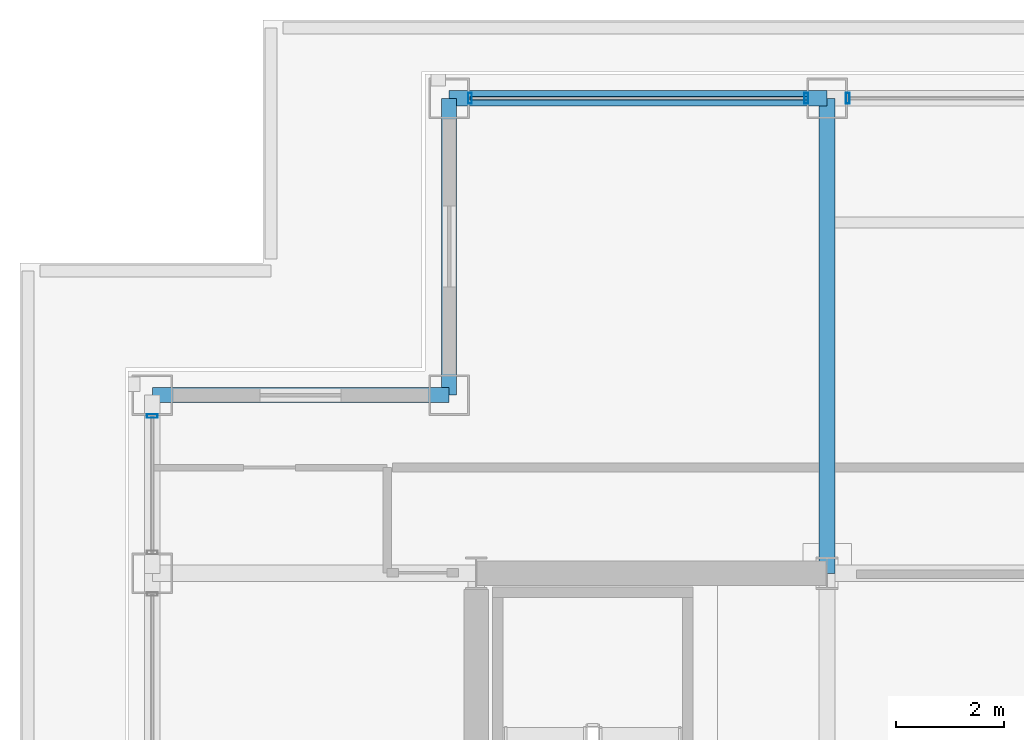
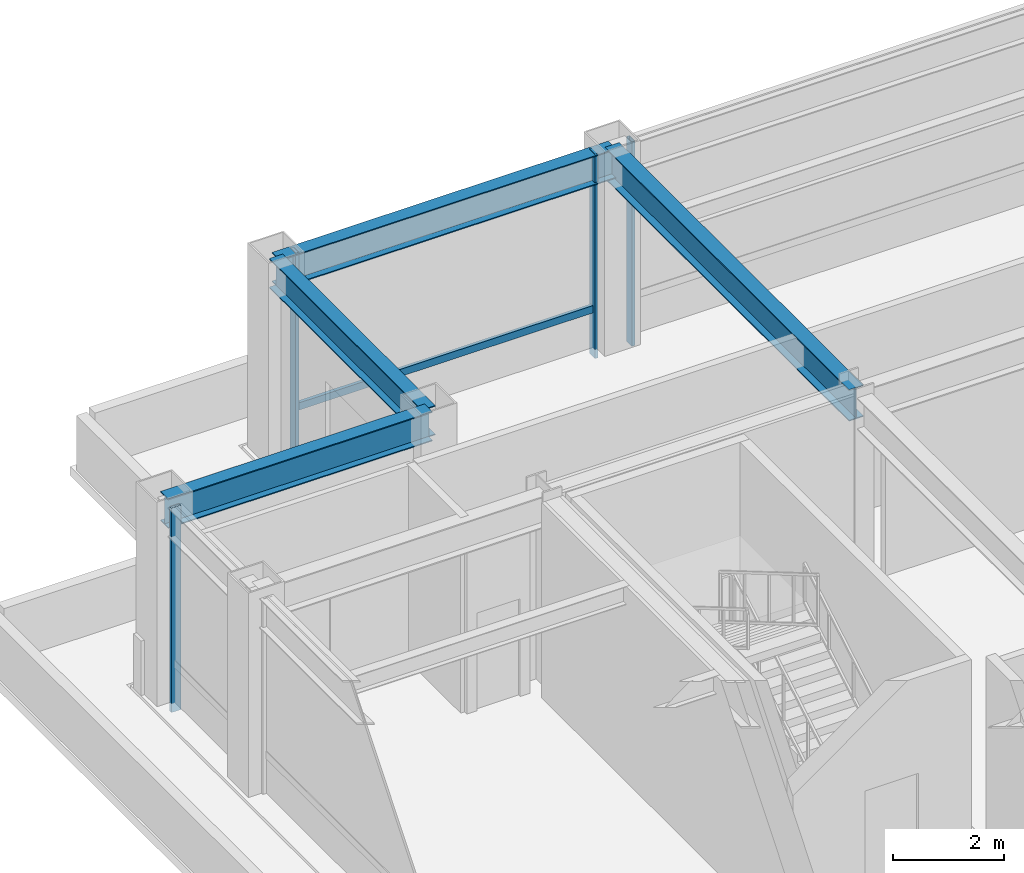
# One storey, part 16 of 24: 5 members, 4 beams, 3 elements without a shape of their own.
"""IFC4 building model written with IfcOpenShell, lengths in metres."""

from ifc_helpers import new_model, si_unit, direction, frame, origin, origin_2d, place, context, subcontext, project, spatial, hollow_rectangle, i_section, extrude, material, layer, layer_set, material_profile, profile_set, type_object, element, aggregate, save


model = new_model("IFC4")

# Units and contexts
model_context = context("Model", 3, precision=1e-05, world=origin(), true_north=direction((0.0, 1.0)))
body_context = subcontext(model_context, "Body", "Model", "MODEL_VIEW")
ifc_project = project(units=[si_unit("LENGTHUNIT", "METRE"), si_unit("AREAUNIT", "SQUARE_METRE"), si_unit("VOLUMEUNIT", "CUBIC_METRE"), si_unit("PLANEANGLEUNIT", "RADIAN"), si_unit("MASSUNIT", "GRAM", prefix="KILO")], contexts=[model_context])

# Site, building, storey
site_placement = place(None, origin())
site = spatial("IfcSite", under=ifc_project, at=site_placement, CompositionType="ELEMENT")
building_placement = place(site_placement, origin())
building = spatial("IfcBuilding", under=site, at=building_placement, Name="Brelmoor Portico Tower", CompositionType="ELEMENT")
storey_placement = place(building_placement, frame((0.0, 0.0, 150.60009765625)))
storey = spatial("IfcBuildingStorey", under=building, at=storey_placement, Name="L39", CompositionType="ELEMENT", Elevation=150.60009765625)

# Beams
ifc_material_1 = material(Name="Steel Q355B", Category="steel")
ifc_material_profile_1 = material_profile(ifc_material_1, i_section(OverallWidth=0.300048828125, OverallDepth=0.699951171875, WebThickness=0.012939453125, FlangeThickness=0.02392578125, at=origin_2d()), Name="HN 700x300x13x24")
ifc_profile_set_1 = profile_set([ifc_material_profile_1], Name="Steel Q355B")
beam_type_1 = type_object("IfcBeamType", Name="BM-PG-700", PredefinedType="BEAM", material=ifc_profile_set_1)
beam_1_placement = place(storey_placement, frame((-8.050048828125, 9.75, 3.949951171875), z_axis=(0.0, 1.0, 0.0), x_axis=(-1.0, 0.0, 0.0)))
element("IfcBeam", 1, at=beam_1_placement, inside=storey, type_object=beam_type_1, Name="L39 Primary Floor Girder PG-05", PredefinedType="BEAM", context=body_context, shape_type="SweptSolid", body=[
    extrude(i_section(OverallWidth=0.300048828125, OverallDepth=0.699951171875, WebThickness=0.012939453125, FlangeThickness=0.02392578125, at=origin_2d()), origin(), (0.0, 0.0, 1.0), 8.800048828125),
])
ifc_material_profile_2 = material_profile(ifc_material_1, i_section(OverallWidth=0.280029296875, OverallDepth=0.64990234375, WebThickness=0.012939453125, FlangeThickness=0.02197265625, at=origin_2d()), Name="HN 650x280x13x22")
ifc_profile_set_2 = profile_set([ifc_material_profile_2], Name="Steel Q355B")
beam_type_2 = type_object("IfcBeamType", Name="BM-SP-650", PredefinedType="SPANDREL", material=ifc_profile_set_2)
beam_2_placement = place(storey_placement, frame((-20.550048828125, 13.050048828125, 3.974853515625), z_axis=(1.0, 0.0, 0.0), x_axis=(0.0, 1.0, 0.0)))
element("IfcBeam", 2, at=beam_2_placement, inside=storey, type_object=beam_type_2, Name="L39 Perimeter Spandrel Beam SP-06", PredefinedType="SPANDREL", context=body_context, shape_type="SweptSolid", body=[
    extrude(i_section(OverallWidth=0.280029296875, OverallDepth=0.64990234375, WebThickness=0.012939453125, FlangeThickness=0.02197265625, at=origin_2d()), origin(), (0.0, 0.0, 1.0), 5.5),
])
beam_3_placement = place(storey_placement, frame((-15.050048828125, 18.550048828125, 3.974853515625), z_axis=(1.0, 0.0, 0.0), x_axis=(0.0, 1.0, 0.0)))
element("IfcBeam", 3, at=beam_3_placement, inside=storey, type_object=beam_type_2, Name="L39 Perimeter Spandrel Beam SP-08", PredefinedType="SPANDREL", context=body_context, shape_type="SweptSolid", body=[
    extrude(i_section(OverallWidth=0.280029296875, OverallDepth=0.64990234375, WebThickness=0.012939453125, FlangeThickness=0.02197265625, at=origin_2d()), origin(), (0.0, 0.0, 1.0), 7.0),
])
beam_4_placement = place(storey_placement, frame((-15.050048828125, 13.050048828125, 3.974853515625), z_axis=(0.0, 1.0, 0.0), x_axis=(-1.0, 0.0, 0.0)))
element("IfcBeam", 4, at=beam_4_placement, inside=storey, type_object=beam_type_2, Name="L39 Perimeter Spandrel Beam SP-15", PredefinedType="SPANDREL", context=body_context, shape_type="SweptSolid", body=[
    extrude(i_section(OverallWidth=0.280029296875, OverallDepth=0.64990234375, WebThickness=0.012939453125, FlangeThickness=0.02197265625, at=origin_2d()), origin(), (0.0, 0.0, 1.0), 5.5),
])

# Curtain wall, members
ifc_material_2 = material(Name="Anodised Aluminium Alloy 6063-T6", Category="aluminium")
ifc_layer = layer(ifc_material_2, 0.179931640625)
ifc_layer_set = layer_set([ifc_layer], Name="Anodised Aluminium Alloy 6063-T6")
curtain_wall_type = type_object("IfcCurtainWallType", Name="CW-SKYLOBBY", PredefinedType="NOTDEFINED", material=ifc_layer_set)
curtain_wall_1_placement = place(storey_placement, origin())
curtain_wall_1 = element("IfcCurtainWall", 5, at=curtain_wall_1_placement, inside=storey, type_object=curtain_wall_type, Name="L39 Curtain Wall CW-L39-02-1", PredefinedType="NOTDEFINED")
ifc_material_profile_3 = material_profile(ifc_material_2, hollow_rectangle(XDim=0.070068359375, YDim=0.199951171875, WallThickness=0.00439453125, at=origin_2d()), Name="ALU MULLION 70x200")
ifc_profile_set_3 = profile_set([ifc_material_profile_3], Name="Anodised Aluminium Alloy 6063-T6")
member_type_1 = type_object("IfcMemberType", Name="MB-CW-MULL-200", PredefinedType="MULLION", material=ifc_profile_set_3)
member_1_placement = place(storey_placement, frame((-14.6650390625, 18.550048828125, -0.2001953125), z_axis=(0.0, 0.0, 1.0), x_axis=(1.0, 0.0, 0.0)))
member_1 = element("IfcMember", 6, at=member_1_placement, type_object=member_type_1, Name="CW-L39-02-1 Mullion 00", PredefinedType="MULLION", context=body_context, shape_type="SweptSolid", body=[
    extrude(hollow_rectangle(XDim=0.070068359375, YDim=0.199951171875, WallThickness=0.00439453125, at=origin_2d()), origin(), (0.0, 0.0, 1.0), 4.5),
])
member_2_placement = place(storey_placement, frame((-8.43505859375, 18.550048828125, -0.2001953125), z_axis=(0.0, 0.0, 1.0), x_axis=(1.0, 0.0, 0.0)))
member_2 = element("IfcMember", 7, at=member_2_placement, type_object=member_type_1, Name="CW-L39-02-1 Mullion 01", PredefinedType="MULLION", context=body_context, shape_type="SweptSolid", body=[
    extrude(hollow_rectangle(XDim=0.070068359375, YDim=0.199951171875, WallThickness=0.00439453125, at=origin_2d()), origin(), (0.0, 0.0, 1.0), 4.5),
])

# Curtain wall, member
curtain_wall_2_placement = place(storey_placement, origin())
curtain_wall_2 = element("IfcCurtainWall", 8, at=curtain_wall_2_placement, inside=storey, type_object=curtain_wall_type, Name="L39 Curtain Wall CW-L39-02-2", PredefinedType="NOTDEFINED")
member_3_placement = place(storey_placement, frame((-7.6650390625, 18.550048828125, -0.2001953125), z_axis=(0.0, 0.0, 1.0), x_axis=(1.0, 0.0, 0.0)))
member_3 = element("IfcMember", 9, at=member_3_placement, type_object=member_type_1, Name="CW-L39-02-2 Mullion 00", PredefinedType="MULLION", context=body_context, shape_type="SweptSolid", body=[
    extrude(hollow_rectangle(XDim=0.070068359375, YDim=0.199951171875, WallThickness=0.00439453125, at=origin_2d()), origin(), (0.0, 0.0, 1.0), 4.5),
])
aggregate(curtain_wall_2, [member_3])

curtain_wall_3_placement = place(storey_placement, origin())
curtain_wall_3 = element("IfcCurtainWall", 10, at=curtain_wall_3_placement, inside=storey, type_object=curtain_wall_type, Name="L39 Curtain Wall CW-L39-03-3", PredefinedType="NOTDEFINED")
member_4_placement = place(storey_placement, frame((-20.550048828125, 12.6650390625, -0.2001953125), z_axis=(0.0, 0.0, 1.0), x_axis=(0.0, 1.0, 0.0)))
member_4 = element("IfcMember", 11, at=member_4_placement, type_object=member_type_1, Name="CW-L39-03-3 Mullion 01", PredefinedType="MULLION", context=body_context, shape_type="SweptSolid", body=[
    extrude(hollow_rectangle(XDim=0.070068359375, YDim=0.199951171875, WallThickness=0.00439453125, at=origin_2d()), origin(), (0.0, 0.0, 1.0), 4.5),
])
aggregate(curtain_wall_3, [member_4])

# Member
ifc_material_profile_4 = material_profile(ifc_material_2, hollow_rectangle(XDim=0.070068359375, YDim=0.159912109375, WallThickness=0.00390625, at=origin_2d()), Name="ALU TRANSOM 70x160")
ifc_profile_set_4 = profile_set([ifc_material_profile_4], Name="Anodised Aluminium Alloy 6063-T6")
member_type_2 = type_object("IfcMemberType", Name="MB-CW-TRAN-160", PredefinedType="USERDEFINED", material=ifc_profile_set_4)
member_5_placement = place(storey_placement, frame((-14.6650390625, 18.550048828125, 0.849853515625), z_axis=(1.0, 0.0, 0.0), x_axis=(0.0, 1.0, 0.0)))
member_5 = element("IfcMember", 12, at=member_5_placement, type_object=member_type_2, Name="CW-L39-02-1 Transom 1-00", ObjectType="TRANSOM", PredefinedType="USERDEFINED", context=body_context, shape_type="SweptSolid", body=[
    extrude(hollow_rectangle(XDim=0.070068359375, YDim=0.159912109375, WallThickness=0.00390625, at=origin_2d()), origin(), (0.0, 0.0, 1.0), 6.22998046875),
])

aggregate(curtain_wall_1, [member_1, member_2, member_5])

save(model, "model.ifc")
